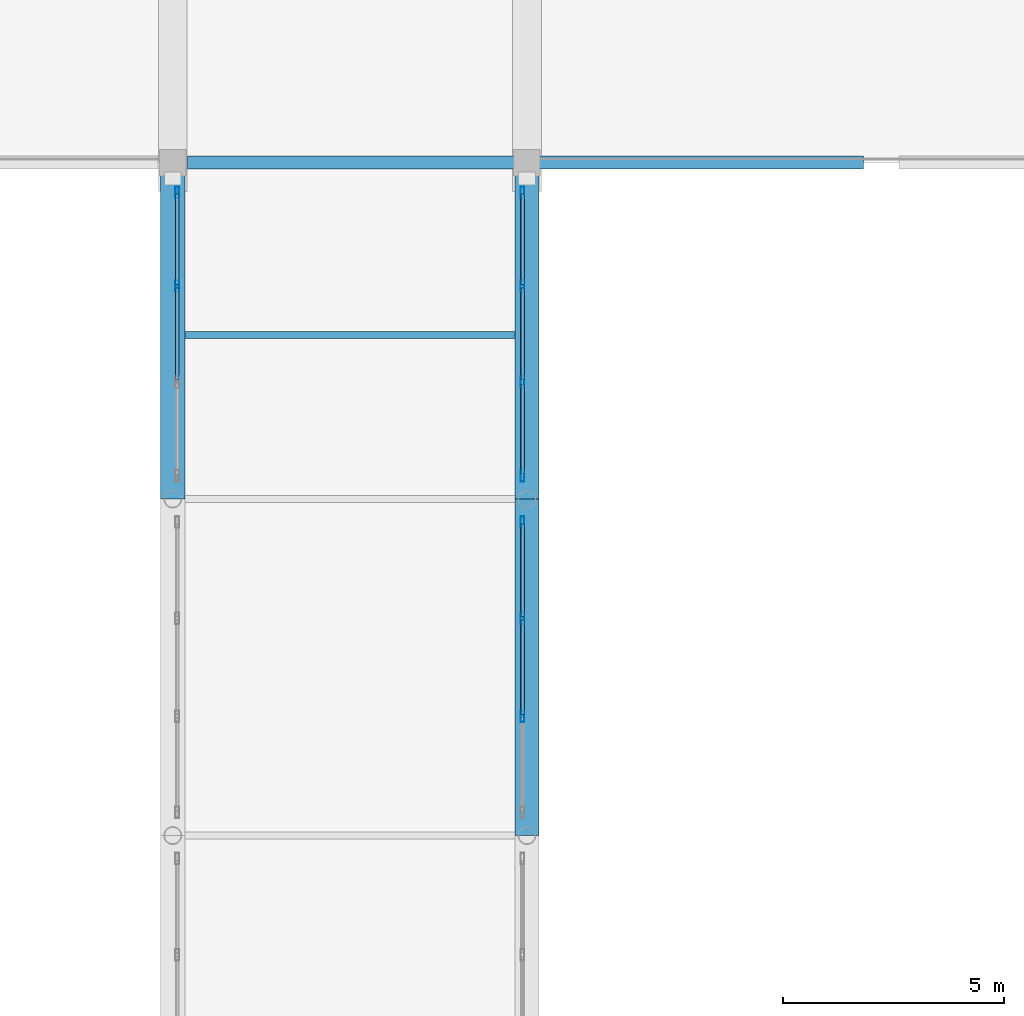
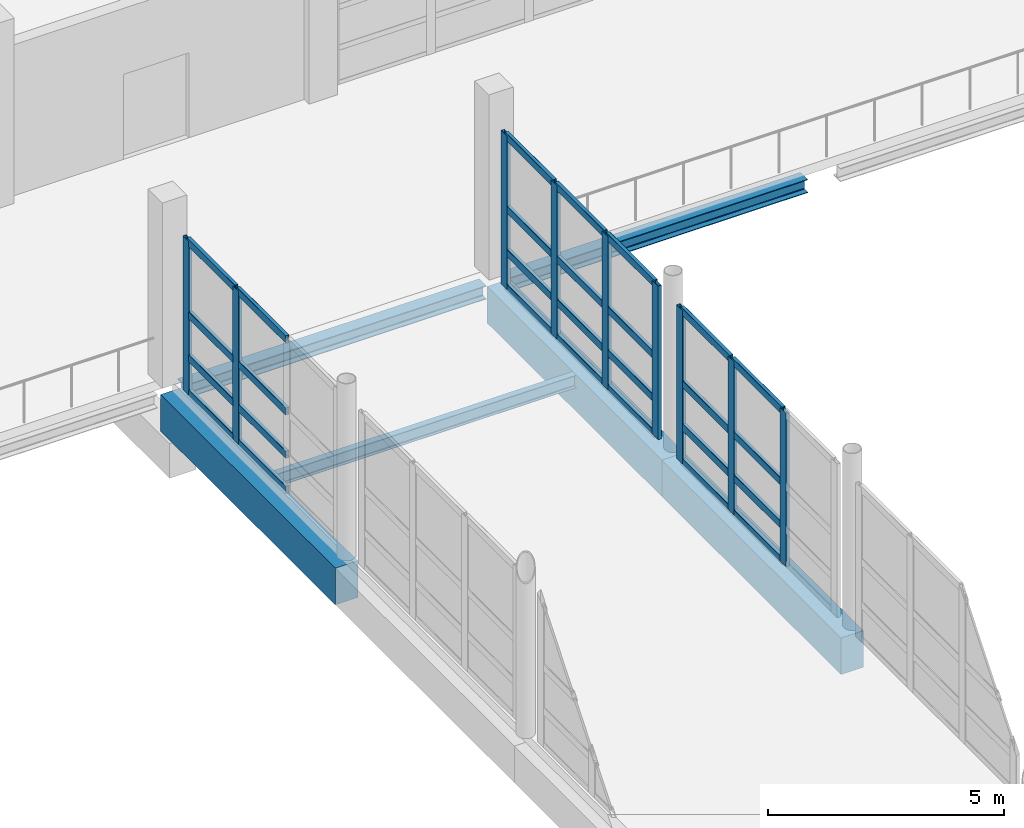
# One storey, part 64 of 141: 37 members, 6 beams, 3 elements without a shape of their own.
"""IFC4 building model written with IfcOpenShell, lengths in metres."""

from ifc_helpers import new_model, si_unit, direction, frame, origin, origin_2d, place, context, subcontext, project, spatial, rectangle, hollow_rectangle, i_section, extrude, material, material_profile, profile_set, type_object, element, aggregate, save


model = new_model("IFC4")

# Units and contexts
model_context = context("Model", 3, precision=1e-05, world=origin(), true_north=direction((0.0, 1.0)))
body_context = subcontext(model_context, "Body", "Model", "MODEL_VIEW")
ifc_project = project(units=[si_unit("LENGTHUNIT", "METRE"), si_unit("AREAUNIT", "SQUARE_METRE"), si_unit("VOLUMEUNIT", "CUBIC_METRE"), si_unit("PLANEANGLEUNIT", "RADIAN"), si_unit("MASSUNIT", "GRAM", prefix="KILO")], contexts=[model_context])

# Site, building, storey
site_placement = place(None, origin())
site = spatial("IfcSite", under=ifc_project, at=site_placement, CompositionType="ELEMENT")
building_placement = place(site_placement, origin())
building = spatial("IfcBuilding", under=site, at=building_placement, Name="Khelvaren Railside Concert Hall", CompositionType="ELEMENT")
storey_placement = place(building_placement, frame((0.0, 0.0, 10.199951171875)))
storey = spatial("IfcBuildingStorey", under=building, at=storey_placement, Name="L02", CompositionType="ELEMENT", Elevation=10.199951171875)

# Curtain wall, members
ifc_material_1 = material(Name="Acoustic laminated crystal facade glass", Category="glass")
curtain_wall_type = type_object("IfcCurtainWallType", Name="CW78", PredefinedType="USERDEFINED", material=ifc_material_1)
curtain_wall_1_placement = place(storey_placement, origin())
curtain_wall_1 = element("IfcCurtainWall", 1, at=curtain_wall_1_placement, inside=storey, type_object=curtain_wall_type, Name="Unitised Curtain Wall CW-LB4-L02-E5", ObjectType="UNITISED CURTAIN WALL", PredefinedType="USERDEFINED")
ifc_material_2 = material(Name="Anodised architectural aluminium 6063-T6", Category="aluminium")
ifc_material_profile_1 = material_profile(ifc_material_2, hollow_rectangle(XDim=0.0849609375, YDim=0.260009765625, WallThickness=0.0048828125, InnerFilletRadius=0.0029296875, OuterFilletRadius=0.0048828125, at=origin_2d()), Name="CWM 85x260x5")
ifc_profile_set_1 = profile_set([ifc_material_profile_1], Name="Anodised architectural aluminium 6063-T6")
member_type_1 = type_object("IfcMemberType", Name="CWM40", PredefinedType="MULLION", material=ifc_profile_set_1)
member_1_placement = place(storey_placement, frame((167.89990234375, 75.4775390625, 0.0), z_axis=(0.0, 0.0, 1.0), x_axis=(1.0, 0.0, 0.0)))
member_1 = element("IfcMember", 2, at=member_1_placement, type_object=member_type_1, Name="CW78 mullion 1", PredefinedType="MULLION", context=body_context, shape_type="SweptSolid", body=[
    extrude(hollow_rectangle(XDim=0.0849609375, YDim=0.260009765625, WallThickness=0.0048828125, InnerFilletRadius=0.0029296875, OuterFilletRadius=0.0048828125, at=origin_2d()), origin(), (0.0, 0.0, 1.0), 3.97998046875),
])
member_2_placement = place(storey_placement, frame((167.89990234375, 73.306640625, 0.0), z_axis=(0.0, 0.0, 1.0), x_axis=(1.0, 0.0, 0.0)))
member_2 = element("IfcMember", 3, at=member_2_placement, type_object=member_type_1, Name="CW78 mullion 2", PredefinedType="MULLION", context=body_context, shape_type="SweptSolid", body=[
    extrude(hollow_rectangle(XDim=0.0849609375, YDim=0.260009765625, WallThickness=0.0048828125, InnerFilletRadius=0.0029296875, OuterFilletRadius=0.0048828125, at=origin_2d()), origin(), (0.0, 0.0, 1.0), 3.97998046875),
])
member_3_placement = place(storey_placement, frame((167.89990234375, 71.09326171875, 0.0), z_axis=(0.0, 0.0, 1.0), x_axis=(1.0, 0.0, 0.0)))
member_3 = element("IfcMember", 4, at=member_3_placement, type_object=member_type_1, Name="CW78 mullion 3", PredefinedType="MULLION", context=body_context, shape_type="SweptSolid", body=[
    extrude(hollow_rectangle(XDim=0.0849609375, YDim=0.260009765625, WallThickness=0.0048828125, InnerFilletRadius=0.0029296875, OuterFilletRadius=0.0048828125, at=origin_2d()), origin(), (0.0, 0.0, 1.0), 3.97998046875),
])

curtain_wall_2_placement = place(storey_placement, origin())
curtain_wall_2 = element("IfcCurtainWall", 5, at=curtain_wall_2_placement, inside=storey, type_object=curtain_wall_type, Name="Unitised Curtain Wall CW-LB4-L02-W6", ObjectType="UNITISED CURTAIN WALL", PredefinedType="USERDEFINED")
member_4_placement = place(storey_placement, frame((160.10009765625, 80.806640625, 0.0), z_axis=(0.0, 0.0, 1.0), x_axis=(-1.0, 0.0, 0.0)))
member_4 = element("IfcMember", 6, at=member_4_placement, type_object=member_type_1, Name="CW78 mullion 3", PredefinedType="MULLION", context=body_context, shape_type="SweptSolid", body=[
    extrude(hollow_rectangle(XDim=0.0849609375, YDim=0.260009765625, WallThickness=0.0048828125, InnerFilletRadius=0.0029296875, OuterFilletRadius=0.0048828125, at=origin_2d()), origin(), (0.0, 0.0, 1.0), 3.97998046875),
])
member_5_placement = place(storey_placement, frame((160.10009765625, 82.927490234375, 0.0), z_axis=(0.0, 0.0, 1.0), x_axis=(-1.0, 0.0, 0.0)))
member_5 = element("IfcMember", 7, at=member_5_placement, type_object=member_type_1, Name="CW78 mullion 4", PredefinedType="MULLION", context=body_context, shape_type="SweptSolid", body=[
    extrude(hollow_rectangle(XDim=0.0849609375, YDim=0.260009765625, WallThickness=0.0048828125, InnerFilletRadius=0.0029296875, OuterFilletRadius=0.0048828125, at=origin_2d()), origin(), (0.0, 0.0, 1.0), 3.97998046875),
])

curtain_wall_3_placement = place(storey_placement, origin())
curtain_wall_3 = element("IfcCurtainWall", 8, at=curtain_wall_3_placement, inside=storey, type_object=curtain_wall_type, Name="Unitised Curtain Wall CW-LB4-L02-E6", ObjectType="UNITISED CURTAIN WALL", PredefinedType="USERDEFINED")
member_6_placement = place(storey_placement, frame((167.89990234375, 82.927490234375, 0.0), z_axis=(0.0, 0.0, 1.0), x_axis=(1.0, 0.0, 0.0)))
member_6 = element("IfcMember", 9, at=member_6_placement, type_object=member_type_1, Name="CW78 mullion 1", PredefinedType="MULLION", context=body_context, shape_type="SweptSolid", body=[
    extrude(hollow_rectangle(XDim=0.0849609375, YDim=0.260009765625, WallThickness=0.0048828125, InnerFilletRadius=0.0029296875, OuterFilletRadius=0.0048828125, at=origin_2d()), origin(), (0.0, 0.0, 1.0), 3.97998046875),
])
member_7_placement = place(storey_placement, frame((167.89990234375, 80.806640625, 0.0), z_axis=(0.0, 0.0, 1.0), x_axis=(1.0, 0.0, 0.0)))
member_7 = element("IfcMember", 10, at=member_7_placement, type_object=member_type_1, Name="CW78 mullion 2", PredefinedType="MULLION", context=body_context, shape_type="SweptSolid", body=[
    extrude(hollow_rectangle(XDim=0.0849609375, YDim=0.260009765625, WallThickness=0.0048828125, InnerFilletRadius=0.0029296875, OuterFilletRadius=0.0048828125, at=origin_2d()), origin(), (0.0, 0.0, 1.0), 3.97998046875),
])
member_8_placement = place(storey_placement, frame((167.89990234375, 78.643310546875, 0.0), z_axis=(0.0, 0.0, 1.0), x_axis=(1.0, 0.0, 0.0)))
member_8 = element("IfcMember", 11, at=member_8_placement, type_object=member_type_1, Name="CW78 mullion 3", PredefinedType="MULLION", context=body_context, shape_type="SweptSolid", body=[
    extrude(hollow_rectangle(XDim=0.0849609375, YDim=0.260009765625, WallThickness=0.0048828125, InnerFilletRadius=0.0029296875, OuterFilletRadius=0.0048828125, at=origin_2d()), origin(), (0.0, 0.0, 1.0), 3.97998046875),
])
member_9_placement = place(storey_placement, frame((167.89990234375, 76.5224609375, 0.0), z_axis=(0.0, 0.0, 1.0), x_axis=(1.0, 0.0, 0.0)))
member_9 = element("IfcMember", 12, at=member_9_placement, type_object=member_type_1, Name="CW78 mullion 4", PredefinedType="MULLION", context=body_context, shape_type="SweptSolid", body=[
    extrude(hollow_rectangle(XDim=0.0849609375, YDim=0.260009765625, WallThickness=0.0048828125, InnerFilletRadius=0.0029296875, OuterFilletRadius=0.0048828125, at=origin_2d()), origin(), (0.0, 0.0, 1.0), 3.97998046875),
])

# Member
ifc_material_profile_2 = material_profile(ifc_material_2, hollow_rectangle(XDim=0.0849609375, YDim=0.18994140625, WallThickness=0.0048828125, InnerFilletRadius=0.0029296875, OuterFilletRadius=0.0048828125, at=origin_2d()), Name="CWT 85x190x5")
ifc_profile_set_2 = profile_set([ifc_material_profile_2], Name="Anodised architectural aluminium 6063-T6")
member_type_2 = type_object("IfcMemberType", Name="CWT31", PredefinedType="USERDEFINED", material=ifc_profile_set_2)
member_10_placement = place(storey_placement, frame((167.89990234375, 75.43505859375, 0.04248046875), z_axis=(0.0, -1.0, 0.0), x_axis=(1.0, 0.0, 0.0)))
member_10 = element("IfcMember", 13, at=member_10_placement, type_object=member_type_2, Name="CW78 transom 1.1", ObjectType="TRANSOM", PredefinedType="USERDEFINED", context=body_context, shape_type="SweptSolid", body=[
    extrude(hollow_rectangle(XDim=0.0849609375, YDim=0.18994140625, WallThickness=0.0048828125, InnerFilletRadius=0.0029296875, OuterFilletRadius=0.0048828125, at=origin_2d()), origin(), (0.0, 0.0, 1.0), 2.0859375),
])

member_11_placement = place(storey_placement, frame((167.89990234375, 75.43505859375, 0.949951171875), z_axis=(0.0, -1.0, 0.0), x_axis=(1.0, 0.0, 0.0)))
member_11 = element("IfcMember", 14, at=member_11_placement, type_object=member_type_2, Name="CW78 transom 1.2", ObjectType="TRANSOM", PredefinedType="USERDEFINED", context=body_context, shape_type="SweptSolid", body=[
    extrude(hollow_rectangle(XDim=0.0849609375, YDim=0.18994140625, WallThickness=0.0048828125, InnerFilletRadius=0.0029296875, OuterFilletRadius=0.0048828125, at=origin_2d()), origin(), (0.0, 0.0, 1.0), 2.0859375),
])

member_12_placement = place(storey_placement, frame((167.89990234375, 75.43505859375, 2.069580078125), z_axis=(0.0, -1.0, 0.0), x_axis=(1.0, 0.0, 0.0)))
member_12 = element("IfcMember", 15, at=member_12_placement, type_object=member_type_2, Name="CW78 transom 1.3", ObjectType="TRANSOM", PredefinedType="USERDEFINED", context=body_context, shape_type="SweptSolid", body=[
    extrude(hollow_rectangle(XDim=0.0849609375, YDim=0.18994140625, WallThickness=0.0048828125, InnerFilletRadius=0.0029296875, OuterFilletRadius=0.0048828125, at=origin_2d()), origin(), (0.0, 0.0, 1.0), 2.0859375),
])

member_13_placement = place(storey_placement, frame((167.89990234375, 75.43505859375, 3.9375), z_axis=(0.0, -1.0, 0.0), x_axis=(1.0, 0.0, 0.0)))
member_13 = element("IfcMember", 16, at=member_13_placement, type_object=member_type_2, Name="CW78 transom 1.4", ObjectType="TRANSOM", PredefinedType="USERDEFINED", context=body_context, shape_type="SweptSolid", body=[
    extrude(hollow_rectangle(XDim=0.0849609375, YDim=0.18994140625, WallThickness=0.0048828125, InnerFilletRadius=0.0029296875, OuterFilletRadius=0.0048828125, at=origin_2d()), origin(), (0.0, 0.0, 1.0), 2.0859375),
])

member_14_placement = place(storey_placement, frame((167.89990234375, 73.26416015625, 0.04248046875), z_axis=(0.0, -1.0, 0.0), x_axis=(1.0, 0.0, 0.0)))
member_14 = element("IfcMember", 17, at=member_14_placement, type_object=member_type_2, Name="CW78 transom 2.1", ObjectType="TRANSOM", PredefinedType="USERDEFINED", context=body_context, shape_type="SweptSolid", body=[
    extrude(hollow_rectangle(XDim=0.0849609375, YDim=0.18994140625, WallThickness=0.0048828125, InnerFilletRadius=0.0029296875, OuterFilletRadius=0.0048828125, at=origin_2d()), origin(), (0.0, 0.0, 1.0), 2.12841796875),
])

member_15_placement = place(storey_placement, frame((167.89990234375, 73.26416015625, 0.949951171875), z_axis=(0.0, -1.0, 0.0), x_axis=(1.0, 0.0, 0.0)))
member_15 = element("IfcMember", 18, at=member_15_placement, type_object=member_type_2, Name="CW78 transom 2.2", ObjectType="TRANSOM", PredefinedType="USERDEFINED", context=body_context, shape_type="SweptSolid", body=[
    extrude(hollow_rectangle(XDim=0.0849609375, YDim=0.18994140625, WallThickness=0.0048828125, InnerFilletRadius=0.0029296875, OuterFilletRadius=0.0048828125, at=origin_2d()), origin(), (0.0, 0.0, 1.0), 2.12841796875),
])

member_16_placement = place(storey_placement, frame((167.89990234375, 73.26416015625, 2.069580078125), z_axis=(0.0, -1.0, 0.0), x_axis=(1.0, 0.0, 0.0)))
member_16 = element("IfcMember", 19, at=member_16_placement, type_object=member_type_2, Name="CW78 transom 2.3", ObjectType="TRANSOM", PredefinedType="USERDEFINED", context=body_context, shape_type="SweptSolid", body=[
    extrude(hollow_rectangle(XDim=0.0849609375, YDim=0.18994140625, WallThickness=0.0048828125, InnerFilletRadius=0.0029296875, OuterFilletRadius=0.0048828125, at=origin_2d()), origin(), (0.0, 0.0, 1.0), 2.12841796875),
])

member_17_placement = place(storey_placement, frame((167.89990234375, 73.26416015625, 3.9375), z_axis=(0.0, -1.0, 0.0), x_axis=(1.0, 0.0, 0.0)))
member_17 = element("IfcMember", 20, at=member_17_placement, type_object=member_type_2, Name="CW78 transom 2.4", ObjectType="TRANSOM", PredefinedType="USERDEFINED", context=body_context, shape_type="SweptSolid", body=[
    extrude(hollow_rectangle(XDim=0.0849609375, YDim=0.18994140625, WallThickness=0.0048828125, InnerFilletRadius=0.0029296875, OuterFilletRadius=0.0048828125, at=origin_2d()), origin(), (0.0, 0.0, 1.0), 2.12841796875),
])

aggregate(curtain_wall_1, [member_1, member_2, member_3, member_10, member_11, member_12, member_13, member_14, member_15, member_16, member_17])

member_18_placement = place(storey_placement, frame((160.10009765625, 78.685791015625, 0.04248046875), z_axis=(0.0, 1.0, 0.0), x_axis=(-1.0, 0.0, 0.0)))
member_18 = element("IfcMember", 21, at=member_18_placement, type_object=member_type_2, Name="CW78 transom 2.1", ObjectType="TRANSOM", PredefinedType="USERDEFINED", context=body_context, shape_type="SweptSolid", body=[
    extrude(hollow_rectangle(XDim=0.0849609375, YDim=0.18994140625, WallThickness=0.0048828125, InnerFilletRadius=0.0029296875, OuterFilletRadius=0.0048828125, at=origin_2d()), origin(), (0.0, 0.0, 1.0), 2.078369140625),
])

member_19_placement = place(storey_placement, frame((160.10009765625, 78.685791015625, 0.949951171875), z_axis=(0.0, 1.0, 0.0), x_axis=(-1.0, 0.0, 0.0)))
member_19 = element("IfcMember", 22, at=member_19_placement, type_object=member_type_2, Name="CW78 transom 2.2", ObjectType="TRANSOM", PredefinedType="USERDEFINED", context=body_context, shape_type="SweptSolid", body=[
    extrude(hollow_rectangle(XDim=0.0849609375, YDim=0.18994140625, WallThickness=0.0048828125, InnerFilletRadius=0.0029296875, OuterFilletRadius=0.0048828125, at=origin_2d()), origin(), (0.0, 0.0, 1.0), 2.078369140625),
])

member_20_placement = place(storey_placement, frame((160.10009765625, 78.685791015625, 2.069580078125), z_axis=(0.0, 1.0, 0.0), x_axis=(-1.0, 0.0, 0.0)))
member_20 = element("IfcMember", 23, at=member_20_placement, type_object=member_type_2, Name="CW78 transom 2.3", ObjectType="TRANSOM", PredefinedType="USERDEFINED", context=body_context, shape_type="SweptSolid", body=[
    extrude(hollow_rectangle(XDim=0.0849609375, YDim=0.18994140625, WallThickness=0.0048828125, InnerFilletRadius=0.0029296875, OuterFilletRadius=0.0048828125, at=origin_2d()), origin(), (0.0, 0.0, 1.0), 2.078369140625),
])

member_21_placement = place(storey_placement, frame((160.10009765625, 78.685791015625, 3.9375), z_axis=(0.0, 1.0, 0.0), x_axis=(-1.0, 0.0, 0.0)))
member_21 = element("IfcMember", 24, at=member_21_placement, type_object=member_type_2, Name="CW78 transom 2.4", ObjectType="TRANSOM", PredefinedType="USERDEFINED", context=body_context, shape_type="SweptSolid", body=[
    extrude(hollow_rectangle(XDim=0.0849609375, YDim=0.18994140625, WallThickness=0.0048828125, InnerFilletRadius=0.0029296875, OuterFilletRadius=0.0048828125, at=origin_2d()), origin(), (0.0, 0.0, 1.0), 2.078369140625),
])

member_22_placement = place(storey_placement, frame((160.10009765625, 80.84912109375, 0.04248046875), z_axis=(0.0, 1.0, 0.0), x_axis=(-1.0, 0.0, 0.0)))
member_22 = element("IfcMember", 25, at=member_22_placement, type_object=member_type_2, Name="CW78 transom 3.1", ObjectType="TRANSOM", PredefinedType="USERDEFINED", context=body_context, shape_type="SweptSolid", body=[
    extrude(hollow_rectangle(XDim=0.0849609375, YDim=0.18994140625, WallThickness=0.0048828125, InnerFilletRadius=0.0029296875, OuterFilletRadius=0.0048828125, at=origin_2d()), origin(), (0.0, 0.0, 1.0), 2.035888671875),
])

member_23_placement = place(storey_placement, frame((160.10009765625, 80.84912109375, 0.949951171875), z_axis=(0.0, 1.0, 0.0), x_axis=(-1.0, 0.0, 0.0)))
member_23 = element("IfcMember", 26, at=member_23_placement, type_object=member_type_2, Name="CW78 transom 3.2", ObjectType="TRANSOM", PredefinedType="USERDEFINED", context=body_context, shape_type="SweptSolid", body=[
    extrude(hollow_rectangle(XDim=0.0849609375, YDim=0.18994140625, WallThickness=0.0048828125, InnerFilletRadius=0.0029296875, OuterFilletRadius=0.0048828125, at=origin_2d()), origin(), (0.0, 0.0, 1.0), 2.035888671875),
])

member_24_placement = place(storey_placement, frame((160.10009765625, 80.84912109375, 2.069580078125), z_axis=(0.0, 1.0, 0.0), x_axis=(-1.0, 0.0, 0.0)))
member_24 = element("IfcMember", 27, at=member_24_placement, type_object=member_type_2, Name="CW78 transom 3.3", ObjectType="TRANSOM", PredefinedType="USERDEFINED", context=body_context, shape_type="SweptSolid", body=[
    extrude(hollow_rectangle(XDim=0.0849609375, YDim=0.18994140625, WallThickness=0.0048828125, InnerFilletRadius=0.0029296875, OuterFilletRadius=0.0048828125, at=origin_2d()), origin(), (0.0, 0.0, 1.0), 2.035888671875),
])

member_25_placement = place(storey_placement, frame((160.10009765625, 80.84912109375, 3.9375), z_axis=(0.0, 1.0, 0.0), x_axis=(-1.0, 0.0, 0.0)))
member_25 = element("IfcMember", 28, at=member_25_placement, type_object=member_type_2, Name="CW78 transom 3.4", ObjectType="TRANSOM", PredefinedType="USERDEFINED", context=body_context, shape_type="SweptSolid", body=[
    extrude(hollow_rectangle(XDim=0.0849609375, YDim=0.18994140625, WallThickness=0.0048828125, InnerFilletRadius=0.0029296875, OuterFilletRadius=0.0048828125, at=origin_2d()), origin(), (0.0, 0.0, 1.0), 2.035888671875),
])

aggregate(curtain_wall_2, [member_4, member_5, member_18, member_19, member_20, member_21, member_22, member_23, member_24, member_25])

member_26_placement = place(storey_placement, frame((167.89990234375, 82.885009765625, 0.04248046875), z_axis=(0.0, -1.0, 0.0), x_axis=(1.0, 0.0, 0.0)))
member_26 = element("IfcMember", 29, at=member_26_placement, type_object=member_type_2, Name="CW78 transom 1.1", ObjectType="TRANSOM", PredefinedType="USERDEFINED", context=body_context, shape_type="SweptSolid", body=[
    extrude(hollow_rectangle(XDim=0.0849609375, YDim=0.18994140625, WallThickness=0.0048828125, InnerFilletRadius=0.0029296875, OuterFilletRadius=0.0048828125, at=origin_2d()), origin(), (0.0, 0.0, 1.0), 2.035888671875),
])

member_27_placement = place(storey_placement, frame((167.89990234375, 82.885009765625, 0.949951171875), z_axis=(0.0, -1.0, 0.0), x_axis=(1.0, 0.0, 0.0)))
member_27 = element("IfcMember", 30, at=member_27_placement, type_object=member_type_2, Name="CW78 transom 1.2", ObjectType="TRANSOM", PredefinedType="USERDEFINED", context=body_context, shape_type="SweptSolid", body=[
    extrude(hollow_rectangle(XDim=0.0849609375, YDim=0.18994140625, WallThickness=0.0048828125, InnerFilletRadius=0.0029296875, OuterFilletRadius=0.0048828125, at=origin_2d()), origin(), (0.0, 0.0, 1.0), 2.035888671875),
])

member_28_placement = place(storey_placement, frame((167.89990234375, 82.885009765625, 2.069580078125), z_axis=(0.0, -1.0, 0.0), x_axis=(1.0, 0.0, 0.0)))
member_28 = element("IfcMember", 31, at=member_28_placement, type_object=member_type_2, Name="CW78 transom 1.3", ObjectType="TRANSOM", PredefinedType="USERDEFINED", context=body_context, shape_type="SweptSolid", body=[
    extrude(hollow_rectangle(XDim=0.0849609375, YDim=0.18994140625, WallThickness=0.0048828125, InnerFilletRadius=0.0029296875, OuterFilletRadius=0.0048828125, at=origin_2d()), origin(), (0.0, 0.0, 1.0), 2.035888671875),
])

member_29_placement = place(storey_placement, frame((167.89990234375, 82.885009765625, 3.9375), z_axis=(0.0, -1.0, 0.0), x_axis=(1.0, 0.0, 0.0)))
member_29 = element("IfcMember", 32, at=member_29_placement, type_object=member_type_2, Name="CW78 transom 1.4", ObjectType="TRANSOM", PredefinedType="USERDEFINED", context=body_context, shape_type="SweptSolid", body=[
    extrude(hollow_rectangle(XDim=0.0849609375, YDim=0.18994140625, WallThickness=0.0048828125, InnerFilletRadius=0.0029296875, OuterFilletRadius=0.0048828125, at=origin_2d()), origin(), (0.0, 0.0, 1.0), 2.035888671875),
])

member_30_placement = place(storey_placement, frame((167.89990234375, 80.76416015625, 0.04248046875), z_axis=(0.0, -1.0, 0.0), x_axis=(1.0, 0.0, 0.0)))
member_30 = element("IfcMember", 33, at=member_30_placement, type_object=member_type_2, Name="CW78 transom 2.1", ObjectType="TRANSOM", PredefinedType="USERDEFINED", context=body_context, shape_type="SweptSolid", body=[
    extrude(hollow_rectangle(XDim=0.0849609375, YDim=0.18994140625, WallThickness=0.0048828125, InnerFilletRadius=0.0029296875, OuterFilletRadius=0.0048828125, at=origin_2d()), origin(), (0.0, 0.0, 1.0), 2.078369140625),
])

member_31_placement = place(storey_placement, frame((167.89990234375, 80.76416015625, 0.949951171875), z_axis=(0.0, -1.0, 0.0), x_axis=(1.0, 0.0, 0.0)))
member_31 = element("IfcMember", 34, at=member_31_placement, type_object=member_type_2, Name="CW78 transom 2.2", ObjectType="TRANSOM", PredefinedType="USERDEFINED", context=body_context, shape_type="SweptSolid", body=[
    extrude(hollow_rectangle(XDim=0.0849609375, YDim=0.18994140625, WallThickness=0.0048828125, InnerFilletRadius=0.0029296875, OuterFilletRadius=0.0048828125, at=origin_2d()), origin(), (0.0, 0.0, 1.0), 2.078369140625),
])

member_32_placement = place(storey_placement, frame((167.89990234375, 80.76416015625, 2.069580078125), z_axis=(0.0, -1.0, 0.0), x_axis=(1.0, 0.0, 0.0)))
member_32 = element("IfcMember", 35, at=member_32_placement, type_object=member_type_2, Name="CW78 transom 2.3", ObjectType="TRANSOM", PredefinedType="USERDEFINED", context=body_context, shape_type="SweptSolid", body=[
    extrude(hollow_rectangle(XDim=0.0849609375, YDim=0.18994140625, WallThickness=0.0048828125, InnerFilletRadius=0.0029296875, OuterFilletRadius=0.0048828125, at=origin_2d()), origin(), (0.0, 0.0, 1.0), 2.078369140625),
])

member_33_placement = place(storey_placement, frame((167.89990234375, 80.76416015625, 3.9375), z_axis=(0.0, -1.0, 0.0), x_axis=(1.0, 0.0, 0.0)))
member_33 = element("IfcMember", 36, at=member_33_placement, type_object=member_type_2, Name="CW78 transom 2.4", ObjectType="TRANSOM", PredefinedType="USERDEFINED", context=body_context, shape_type="SweptSolid", body=[
    extrude(hollow_rectangle(XDim=0.0849609375, YDim=0.18994140625, WallThickness=0.0048828125, InnerFilletRadius=0.0029296875, OuterFilletRadius=0.0048828125, at=origin_2d()), origin(), (0.0, 0.0, 1.0), 2.078369140625),
])

member_34_placement = place(storey_placement, frame((167.89990234375, 78.600830078125, 0.04248046875), z_axis=(0.0, -1.0, 0.0), x_axis=(1.0, 0.0, 0.0)))
member_34 = element("IfcMember", 37, at=member_34_placement, type_object=member_type_2, Name="CW78 transom 3.1", ObjectType="TRANSOM", PredefinedType="USERDEFINED", context=body_context, shape_type="SweptSolid", body=[
    extrude(hollow_rectangle(XDim=0.0849609375, YDim=0.18994140625, WallThickness=0.0048828125, InnerFilletRadius=0.0029296875, OuterFilletRadius=0.0048828125, at=origin_2d()), origin(), (0.0, 0.0, 1.0), 2.035888671875),
])

member_35_placement = place(storey_placement, frame((167.89990234375, 78.600830078125, 0.949951171875), z_axis=(0.0, -1.0, 0.0), x_axis=(1.0, 0.0, 0.0)))
member_35 = element("IfcMember", 38, at=member_35_placement, type_object=member_type_2, Name="CW78 transom 3.2", ObjectType="TRANSOM", PredefinedType="USERDEFINED", context=body_context, shape_type="SweptSolid", body=[
    extrude(hollow_rectangle(XDim=0.0849609375, YDim=0.18994140625, WallThickness=0.0048828125, InnerFilletRadius=0.0029296875, OuterFilletRadius=0.0048828125, at=origin_2d()), origin(), (0.0, 0.0, 1.0), 2.035888671875),
])

member_36_placement = place(storey_placement, frame((167.89990234375, 78.600830078125, 2.069580078125), z_axis=(0.0, -1.0, 0.0), x_axis=(1.0, 0.0, 0.0)))
member_36 = element("IfcMember", 39, at=member_36_placement, type_object=member_type_2, Name="CW78 transom 3.3", ObjectType="TRANSOM", PredefinedType="USERDEFINED", context=body_context, shape_type="SweptSolid", body=[
    extrude(hollow_rectangle(XDim=0.0849609375, YDim=0.18994140625, WallThickness=0.0048828125, InnerFilletRadius=0.0029296875, OuterFilletRadius=0.0048828125, at=origin_2d()), origin(), (0.0, 0.0, 1.0), 2.035888671875),
])

member_37_placement = place(storey_placement, frame((167.89990234375, 78.600830078125, 3.9375), z_axis=(0.0, -1.0, 0.0), x_axis=(1.0, 0.0, 0.0)))
member_37 = element("IfcMember", 40, at=member_37_placement, type_object=member_type_2, Name="CW78 transom 3.4", ObjectType="TRANSOM", PredefinedType="USERDEFINED", context=body_context, shape_type="SweptSolid", body=[
    extrude(hollow_rectangle(XDim=0.0849609375, YDim=0.18994140625, WallThickness=0.0048828125, InnerFilletRadius=0.0029296875, OuterFilletRadius=0.0048828125, at=origin_2d()), origin(), (0.0, 0.0, 1.0), 2.035888671875),
])

aggregate(curtain_wall_3, [member_6, member_7, member_8, member_9, member_26, member_27, member_28, member_29, member_30, member_31, member_32, member_33, member_34, member_35, member_36, member_37])

# Beams
ifc_material_3 = material(Name="Concrete C40/50", Category="concrete")
ifc_material_profile_3 = material_profile(ifc_material_3, rectangle(XDim=0.550048828125, YDim=0.949951171875, at=origin_2d()), Name="RCB 550x950")
ifc_profile_set_3 = profile_set([ifc_material_profile_3], Name="Concrete C40/50")
beam_type_1 = type_object("IfcBeamType", Name="GR75", PredefinedType="T_BEAM", material=ifc_profile_set_3)
beam_1_placement = place(storey_placement, frame((160.0, 76.0, -0.71484375), z_axis=(0.0, 1.0, 0.0), x_axis=(-1.0, 0.0, 0.0)))
element("IfcBeam", 41, at=beam_1_placement, inside=storey, type_object=beam_type_1, Name="East Backstage Artist Link Bridge L02 Bridge Girder 1.6", PredefinedType="T_BEAM", context=body_context, shape_type="SweptSolid", body=[
    extrude(rectangle(XDim=0.550048828125, YDim=0.949951171875, at=origin_2d()), origin(), (0.0, 0.0, 1.0), 7.419921875),
])
beam_2_placement = place(storey_placement, frame((168.0, 68.39990234375, -0.71484375), z_axis=(0.0, 1.0, 0.0), x_axis=(-1.0, 0.0, 0.0)))
element("IfcBeam", 42, at=beam_2_placement, inside=storey, type_object=beam_type_1, Name="East Backstage Artist Link Bridge L02 Bridge Girder 2.5", PredefinedType="T_BEAM", context=body_context, shape_type="SweptSolid", body=[
    extrude(rectangle(XDim=0.550048828125, YDim=0.949951171875, at=origin_2d()), origin(), (0.0, 0.0, 1.0), 7.60009765625),
])
beam_3_placement = place(storey_placement, frame((168.0, 76.0, -0.71484375), z_axis=(0.0, 1.0, 0.0), x_axis=(-1.0, 0.0, 0.0)))
element("IfcBeam", 43, at=beam_3_placement, inside=storey, type_object=beam_type_1, Name="East Backstage Artist Link Bridge L02 Bridge Girder 2.6", PredefinedType="T_BEAM", context=body_context, shape_type="SweptSolid", body=[
    extrude(rectangle(XDim=0.550048828125, YDim=0.949951171875, at=origin_2d()), origin(), (0.0, 0.0, 1.0), 7.419921875),
])
ifc_material_4 = material(Name="Steel S355", Category="steel")
ifc_material_profile_4 = material_profile(ifc_material_4, i_section(OverallWidth=0.159912109375, OverallDepth=0.330078125, WebThickness=0.007568359375, FlangeThickness=0.011474609375, FilletRadius=0.01806640625, at=origin_2d()), Name="IPE 330")
ifc_profile_set_4 = profile_set([ifc_material_profile_4], Name="Steel S355")
beam_type_2 = type_object("IfcBeamType", Name="JS65", PredefinedType="JOIST", material=ifc_profile_set_4)
beam_4_placement = place(storey_placement, frame((160.27490234375, 79.7099609375, -0.405029296875), z_axis=(1.0, 0.0, 0.0), x_axis=(0.0, 1.0, 0.0)))
element("IfcBeam", 44, at=beam_4_placement, inside=storey, type_object=beam_type_2, Name="East Backstage Artist Link Bridge L02 Bridge Cross Joist 7", PredefinedType="JOIST", context=body_context, shape_type="SweptSolid", body=[
    extrude(i_section(OverallWidth=0.159912109375, OverallDepth=0.330078125, WebThickness=0.007568359375, FlangeThickness=0.011474609375, FilletRadius=0.01806640625, at=origin_2d()), origin(), (0.0, 0.0, 1.0), 7.4501953125),
])
ifc_material_profile_5 = material_profile(ifc_material_4, i_section(OverallWidth=0.300048828125, OverallDepth=0.35009765625, WebThickness=0.010009765625, FlangeThickness=0.017578125, FilletRadius=0.027099609375, at=origin_2d()), Name="HEA 360")
ifc_profile_set_5 = profile_set([ifc_material_profile_5], Name="Steel S355")
beam_type_3 = type_object("IfcBeamType", Name="SP38", PredefinedType="SPANDREL", material=ifc_profile_set_5)
beam_5_placement = place(storey_placement, frame((160.3359375, 83.60009765625, -0.4150390625), z_axis=(1.0, 0.0, 0.0), x_axis=(0.0, 1.0, 0.0)))
element("IfcBeam", 45, at=beam_5_placement, inside=storey, type_object=beam_type_3, Name="V5 L02 Terrace Edge Spandrel 24", PredefinedType="SPANDREL", context=body_context, shape_type="SweptSolid", body=[
    extrude(i_section(OverallWidth=0.300048828125, OverallDepth=0.35009765625, WebThickness=0.010009765625, FlangeThickness=0.017578125, FilletRadius=0.027099609375, at=origin_2d()), origin(), (0.0, 0.0, 1.0), 7.39111328125),
])
beam_6_placement = place(storey_placement, frame((168.27294921875, 83.60009765625, -0.4150390625), z_axis=(1.0, 0.0, 0.0), x_axis=(0.0, 1.0, 0.0)))
element("IfcBeam", 46, at=beam_6_placement, inside=storey, type_object=beam_type_3, Name="V5 L02 Terrace Edge Spandrel 25", PredefinedType="SPANDREL", context=body_context, shape_type="SweptSolid", body=[
    extrude(i_section(OverallWidth=0.300048828125, OverallDepth=0.35009765625, WebThickness=0.010009765625, FlangeThickness=0.017578125, FilletRadius=0.027099609375, at=origin_2d()), origin(), (0.0, 0.0, 1.0), 7.3271484375),
])

save(model, "model.ifc")
